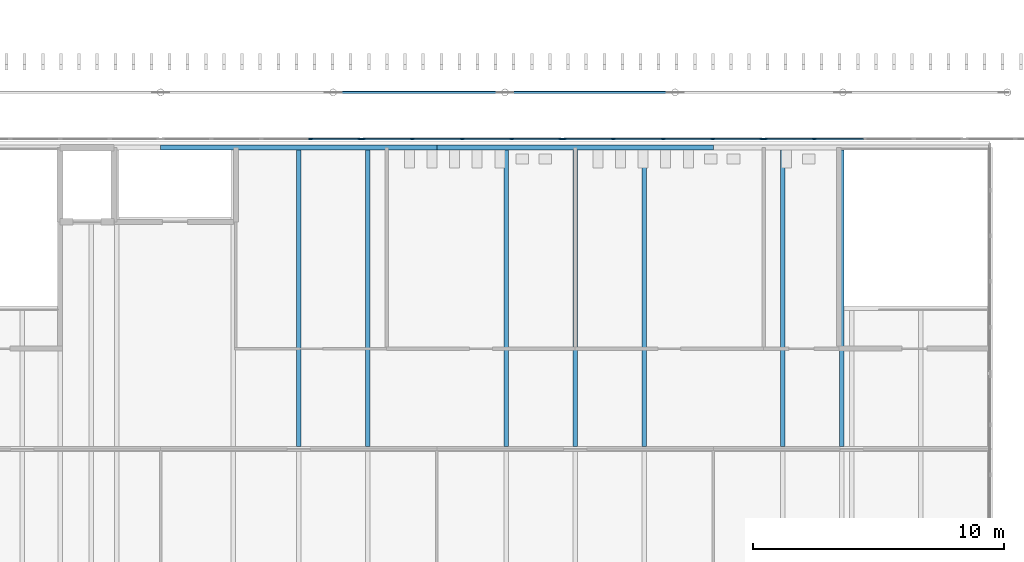
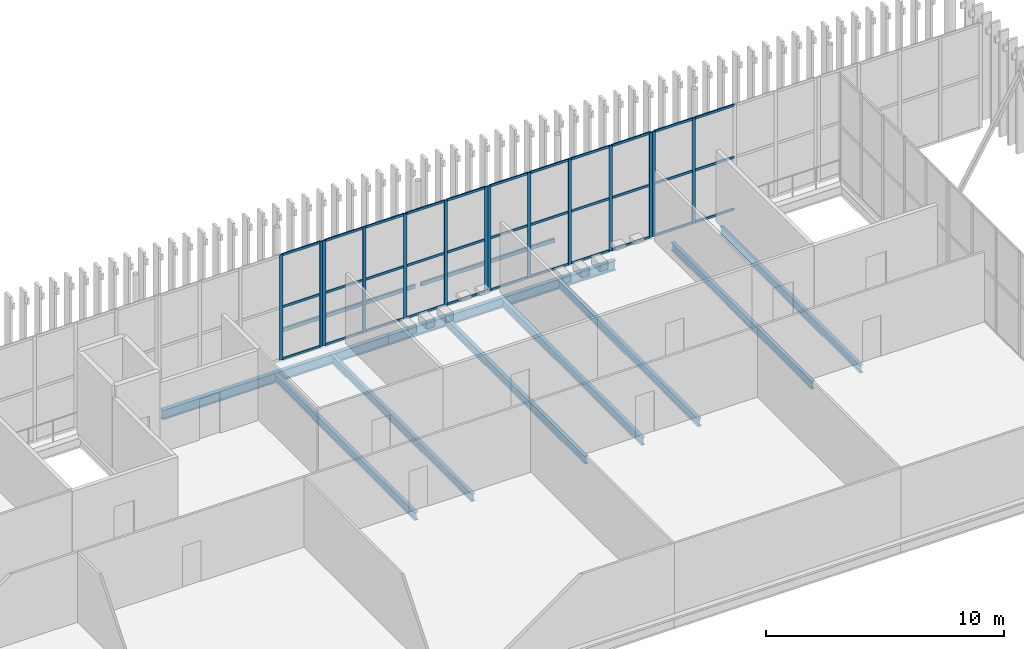
# One storey, part 74 of 170: 49 members, 9 beams, 4 elements without a shape of their own.
"""IFC4 building model written with IfcOpenShell, lengths in metres."""

import ifcopenshell
import ifcopenshell.guid

model = None  # the IFC model being written
_history = None  # IfcOwnerHistory: only IFC2X3 demands one
_inside = {}  # id of a spatial element -> (the spatial element, [elements in it])
_under = {}  # id of a project, library or spatial element -> (it, [spatial elements below it])
_declared = {}  # id of a project -> (the project, [libraries it declares])
_typed = {}  # id of a type object -> (the type object, [elements of that type])
_made_of = {}  # id of a material, layer set ... -> (it, [elements and type objects made of it])


def new_model(schema):
    """Start an empty IFC model of exactly this schema.

    Asked for "IFC4X3", IfcOpenShell would pick the latest addendum, in which some entities
    have other attributes; the version numbers below select the first issue.
    IFC2X3 requires an IfcOwnerHistory on every rooted entity: one is made here for all.
    """
    global model, _history
    if schema == "IFC4X3":
        model = ifcopenshell.file(schema_version=(4, 3, 0, 0))
    else:
        model = ifcopenshell.file(schema=schema)
    _inside.clear()
    _under.clear()
    _declared.clear()
    _typed.clear()
    _made_of.clear()
    _history = None
    if model.schema == "IFC2X3":
        org = make("IfcOrganization", Name="unknown")
        user = make(
            "IfcPersonAndOrganization",
            ThePerson=make("IfcPerson", FamilyName="unknown"),
            TheOrganization=org,
        )
        app = make(
            "IfcApplication",
            ApplicationDeveloper=org,
            Version="unknown",
            ApplicationFullName="unknown",
            ApplicationIdentifier="unknown",
        )
        _history = make(
            "IfcOwnerHistory",
            OwningUser=user,
            OwningApplication=app,
            ChangeAction="ADDED",
            CreationDate=0,
        )
    return model


def make(cls, **values):
    """One entity of the class cls with the attributes given. An attribute that is None is left unset."""
    return model.create_entity(
        cls, **{name: value for name, value in values.items() if value is not None}
    )


def rooted(cls, **values):
    """An entity with a GlobalId (a new one), such as an element, a storey or a relation."""
    return make(cls, GlobalId=ifcopenshell.guid.new(), OwnerHistory=_history, **values)


def si_unit(unit_type, name, prefix=None):
    """IfcSIUnit, for example si_unit("LENGTHUNIT", "METRE", prefix="MILLI")."""
    return make("IfcSIUnit", UnitType=unit_type, Prefix=prefix, Name=name)


def assignment(units):
    """IfcUnitAssignment: the units of a project."""
    return None if units is None else make("IfcUnitAssignment", Units=units)


def point(xyz):
    """IfcCartesianPoint."""
    return None if xyz is None else make("IfcCartesianPoint", Coordinates=xyz)


def direction(xyz):
    """IfcDirection."""
    return None if xyz is None else make("IfcDirection", DirectionRatios=xyz)


def frame(location, z_axis=None, x_axis=None):
    """IfcAxis2Placement3D, a coordinate frame: its origin and axes. An axis left out is left unset."""
    return make(
        "IfcAxis2Placement3D",
        Location=point(location),
        Axis=direction(z_axis),
        RefDirection=direction(x_axis),
    )


def frame_2d(location, x_axis=None):
    """IfcAxis2Placement2D, a coordinate frame in the plane: its origin and x axis."""
    return make(
        "IfcAxis2Placement2D", Location=point(location), RefDirection=direction(x_axis)
    )


def origin():
    """The frame at (0, 0, 0) with its axes left unset."""
    return frame((0.0, 0.0, 0.0))


def origin_2d():
    """The frame at (0, 0) in the plane with its x axis left unset."""
    return frame_2d((0.0, 0.0))


def place(relative_to, where):
    """IfcLocalPlacement: puts the frame where relative to a parent placement (None: the world)."""
    return make(
        "IfcLocalPlacement", PlacementRelTo=relative_to, RelativePlacement=where
    )


def context(
    kind, dimensions, precision=None, world=None, true_north=None, identifier=None
):
    """IfcGeometricRepresentationContext, for example the 3D "Model" context."""
    return make(
        "IfcGeometricRepresentationContext",
        ContextIdentifier=identifier,
        ContextType=kind,
        CoordinateSpaceDimension=dimensions,
        Precision=precision,
        WorldCoordinateSystem=world,
        TrueNorth=true_north,
    )


def subcontext(parent, identifier, kind, view, scale=None):
    """IfcGeometricRepresentationSubContext, for example "Body" below "Model"."""
    return make(
        "IfcGeometricRepresentationSubContext",
        ContextIdentifier=identifier,
        ContextType=kind,
        ParentContext=parent,
        TargetScale=scale,
        TargetView=view,
    )


def project(units=None, contexts=None):
    """IfcProject with its units and contexts."""
    return rooted(
        "IfcProject",
        Name="project",
        RepresentationContexts=contexts,
        UnitsInContext=assignment(units),
    )


def spatial(cls, under=None, at=None, **own):
    """A site, building, storey or space (cls), placed at a placement, below another one or the project."""
    s = rooted(cls, ObjectPlacement=at, **own)
    if under is not None:
        _under.setdefault(under.id(), (under, []))[1].append(s)
    return s


def profile(cls, at=None, kind="AREA", **sizes):
    """A parametric profile (cls). Its sizes go by their IFC names, for example OverallWidth=200.0."""
    return make(cls, ProfileType=kind, Position=at, **sizes)


def rectangle(**sizes):
    """IfcRectangleProfileDef."""
    return profile("IfcRectangleProfileDef", **sizes)


def hollow_rectangle(**sizes):
    """IfcRectangleHollowProfileDef."""
    return profile("IfcRectangleHollowProfileDef", **sizes)


def i_section(**sizes):
    """IfcIShapeProfileDef."""
    return profile("IfcIShapeProfileDef", **sizes)


def extrude(swept, where, along, depth):
    """IfcExtrudedAreaSolid: the profile swept, set in the frame where, extruded along a direction by depth."""
    return make(
        "IfcExtrudedAreaSolid",
        SweptArea=swept,
        Position=where,
        ExtrudedDirection=direction(along),
        Depth=depth,
    )


def shape(context_of_items, identifier, shape_type, items):
    """IfcShapeRepresentation: the items that make up one representation, for example the "Body"."""
    return make(
        "IfcShapeRepresentation",
        ContextOfItems=context_of_items,
        RepresentationIdentifier=identifier,
        RepresentationType=shape_type,
        Items=items,
    )


def material(Name=None, Category=None):
    """IfcMaterial."""
    return make("IfcMaterial", Name=Name, Category=Category)


def layer(
    of_material, thickness, ventilated=None, Name=None, Category=None, Priority=None
):
    """IfcMaterialLayer: one layer of a wall or slab, of a material (None: an air gap)."""
    return make(
        "IfcMaterialLayer",
        Material=of_material,
        LayerThickness=thickness,
        IsVentilated=ventilated,
        Name=Name,
        Category=Category,
        Priority=Priority,
    )


def layer_set(layers, Name=None):
    """IfcMaterialLayerSet."""
    return make("IfcMaterialLayerSet", MaterialLayers=layers, LayerSetName=Name)


def material_profile(
    of_material, cross_section, Name=None, Category=None, Priority=None
):
    """IfcMaterialProfile: a cross section and its material."""
    return make(
        "IfcMaterialProfile",
        Name=Name,
        Material=of_material,
        Profile=cross_section,
        Priority=Priority,
        Category=Category,
    )


def profile_set(profiles, Name=None, composite=None):
    """IfcMaterialProfileSet."""
    return make(
        "IfcMaterialProfileSet",
        Name=Name,
        MaterialProfiles=profiles,
        CompositeProfile=composite,
    )


def made_of(thing, what):
    """Note that an element or type object is made of a material, layer set ...; save() writes the relation."""
    if what is not None:
        _made_of.setdefault(what.id(), (what, []))[1].append(thing)
    return thing


def type_object(cls, material=None, **own):
    """A type object (cls), such as IfcWallType, which elements share."""
    return made_of(rooted(cls, **own), material)


def element(
    cls,
    number,
    at=None,
    inside=None,
    cuts=None,
    type_object=None,
    material=None,
    context=None,
    identifier="Body",
    shape_type=None,
    held_by="IfcProductDefinitionShape",
    body=None,
    shapes=None,
    **own,
):
    """One element of the class cls, such as IfcWall. Its Tag is "e" and its number.

    at: its placement. inside: the storey or other place that contains it. cuts: it is an
    opening in that element (IfcRelVoidsElement). A single representation is given by context,
    identifier, shape_type and body (its items); several are given by shapes. held_by: the class
    of the entity that holds the representations. save() writes the other relations.
    """
    e = rooted(cls, Tag="e%d" % number, ObjectPlacement=at, **own)
    if body is not None:
        shapes = [shape(context, identifier, shape_type, body)]
    if shapes is not None:
        e.Representation = make(held_by, Representations=shapes)
    if inside is not None:
        _inside.setdefault(inside.id(), (inside, []))[1].append(e)
    if cuts is not None:
        rooted(
            "IfcRelVoidsElement", RelatingBuildingElement=cuts, RelatedOpeningElement=e
        )
    if type_object is not None:
        _typed.setdefault(type_object.id(), (type_object, []))[1].append(e)
    return made_of(e, material)


def aggregate(whole, parts):
    """IfcRelAggregates: a whole, such as a stair, and the parts it consists of."""
    return rooted("IfcRelAggregates", RelatingObject=whole, RelatedObjects=parts)


def save(model, path):
    """Write the relations noted so far, then the file.

    IfcRelAggregates (storeys below a building ...), IfcRelContainedInSpatialStructure (elements
    in a storey), IfcRelDefinesByType, IfcRelAssociatesMaterial and IfcRelDeclares: one each for
    every whole, place, type object, material and project.
    """
    for whole, parts in _under.values():
        aggregate(whole, parts)
    for where, things in _inside.values():
        rooted(
            "IfcRelContainedInSpatialStructure",
            RelatedElements=things,
            RelatingStructure=where,
        )
    for kind, things in _typed.values():
        rooted("IfcRelDefinesByType", RelatedObjects=things, RelatingType=kind)
    for what, things in _made_of.values():
        rooted("IfcRelAssociatesMaterial", RelatedObjects=things, RelatingMaterial=what)
    for by, libraries in _declared.values():
        rooted("IfcRelDeclares", RelatingContext=by, RelatedDefinitions=libraries)
    model.write(path)


model = new_model("IFC4")

# Units and contexts
model_context = context("Model", 3, precision=1e-05, world=origin(), true_north=direction((0.0, 1.0)))
body_context = subcontext(model_context, "Body", "Model", "MODEL_VIEW")
ifc_project = project(units=[si_unit("LENGTHUNIT", "METRE"), si_unit("AREAUNIT", "SQUARE_METRE"), si_unit("VOLUMEUNIT", "CUBIC_METRE"), si_unit("PLANEANGLEUNIT", "RADIAN"), si_unit("MASSUNIT", "GRAM", prefix="KILO")], contexts=[model_context])

# Site, building, storey
site_placement = place(None, origin())
site = spatial("IfcSite", under=ifc_project, at=site_placement, CompositionType="ELEMENT")
building_placement = place(site_placement, origin())
building = spatial("IfcBuilding", under=site, at=building_placement, Name="Ravi Spectrum Wholesale Market", CompositionType="ELEMENT")
storey_placement = place(building_placement, frame((0.0, 0.0, 5.39990234375)))
storey = spatial("IfcBuildingStorey", under=building, at=storey_placement, Name="L01", CompositionType="ELEMENT", Elevation=5.39990234375)

# Beams
ifc_material_1 = material(Name="Steel S355", Category="steel")
ifc_material_profile_1 = material_profile(ifc_material_1, i_section(OverallWidth=0.179931640625, OverallDepth=0.39990234375, WebThickness=0.008544921875, FlangeThickness=0.013427734375, at=origin_2d()))
ifc_profile_set_1 = profile_set([ifc_material_profile_1], Name="Steel S355")
beam_type_1 = type_object("IfcBeamType", Name="IPE 400 beam", PredefinedType="BEAM", material=ifc_profile_set_1)
for number, where, z_axis, x_axis, name in (
    (1, (75.5, 183.10009765625, -0.449951171875), (0.0, 1.0, 0.0), (-1.0, 0.0, 0.0), "H1-BM-L01-052"),
    (2, (78.25, 183.10009765625, -0.449951171875), (0.0, 1.0, 0.0), (-1.0, 0.0, 0.0), "H1-BM-L01-054"),
    (3, (83.75, 183.10009765625, -0.449951171875), (0.0, 1.0, 0.0), (-1.0, 0.0, 0.0), "H1-BM-L01-056"),
    (4, (86.5, 183.10009765625, -0.449951171875), (0.0, 1.0, 0.0), (-1.0, 0.0, 0.0), "H1-BM-L01-058"),
    (5, (89.25, 183.10009765625, -0.449951171875), (0.0, 1.0, 0.0), (-1.0, 0.0, 0.0), "H1-BM-L01-060"),
    (6, (94.75, 183.10009765625, -0.449951171875), (0.0, 1.0, 0.0), (-1.0, 0.0, 0.0), "H1-BM-L01-062"),
    (7, (97.10009765625, 183.10009765625, -0.449951171875), (0.0, 1.0, 0.0), (-1.0, 0.0, 0.0), "H1-BM-L01-064"),
):
    element("IfcBeam", number, at=place(storey_placement, frame(where, z_axis=z_axis, x_axis=x_axis)), inside=storey, type_object=beam_type_1, Name=name, PredefinedType="BEAM", context=body_context, shape_type="SweptSolid", body=[
        extrude(i_section(OverallWidth=0.179931640625, OverallDepth=0.39990234375, WebThickness=0.008544921875, FlangeThickness=0.013427734375, at=origin_2d()), origin(), (0.0, 0.0, 1.0), 11.7998046875),
    ])
ifc_material_2 = material(Name="Steel S355", Category="steel")
ifc_material_profile_2 = material_profile(ifc_material_2, i_section(OverallWidth=0.199951171875, OverallDepth=0.5, WebThickness=0.01025390625, FlangeThickness=0.01611328125, at=origin_2d()))
ifc_profile_set_2 = profile_set([ifc_material_profile_2], Name="Steel S355")
beam_type_2 = type_object("IfcBeamType", Name="IPE 500 girder", PredefinedType="BEAM", material=ifc_profile_set_2)
for number, where, z_axis, x_axis, name in (
    (8, (70.0, 195.0, -0.5), (1.0, 0.0, 0.0), (0.0, 1.0, 0.0), "H1-BM-L01-016"),
    (9, (81.0, 195.0, -0.5), (1.0, 0.0, 0.0), (0.0, 1.0, 0.0), "H1-BM-L01-017"),
):
    element("IfcBeam", number, at=place(storey_placement, frame(where, z_axis=z_axis, x_axis=x_axis)), inside=storey, type_object=beam_type_2, Name=name, PredefinedType="BEAM", context=body_context, shape_type="SweptSolid", body=[
        extrude(i_section(OverallWidth=0.199951171875, OverallDepth=0.5, WebThickness=0.01025390625, FlangeThickness=0.01611328125, at=origin_2d()), origin(), (0.0, 0.0, 1.0), 11.0),
    ])

# Curtain wall, members
ifc_material_3 = material(Name="Aluminium 6063-T6", Category="aluminium")
ifc_layer = layer(ifc_material_3, 0.14990234375)
ifc_layer_set = layer_set([ifc_layer], Name="Aluminium 6063-T6")
curtain_wall_type = type_object("IfcCurtainWallType", Name="Curtain wall 150", PredefinedType="NOTDEFINED", material=ifc_layer_set)
curtain_wall_1_placement = place(storey_placement, origin())
curtain_wall_1 = element("IfcCurtainWall", 10, at=curtain_wall_1_placement, inside=storey, type_object=curtain_wall_type, Name="H1-CW-L01-058", PredefinedType="NOTDEFINED")
ifc_material_4 = material(Name="Aluminium 6063-T6", Category="aluminium")
ifc_material_profile_3 = material_profile(ifc_material_4, rectangle(XDim=0.06005859375, YDim=0.159912109375, at=origin_2d()))
ifc_profile_set_3 = profile_set([ifc_material_profile_3], Name="Aluminium 6063-T6")
member_type_1 = type_object("IfcMemberType", Name="Mullion 60 x 160", PredefinedType="MULLION", material=ifc_profile_set_3)
member_1_placement = place(storey_placement, frame((75.97998046875, 195.340087890625, 0.0), z_axis=(0.0, 0.0, 1.0), x_axis=(0.0, 1.0, 0.0)))
member_1 = element("IfcMember", 11, at=member_1_placement, type_object=member_type_1, Name="H1-CW-L01-058 mullion 4", PredefinedType="MULLION", context=body_context, shape_type="SweptSolid", body=[
    extrude(rectangle(XDim=0.06005859375, YDim=0.159912109375, at=origin_2d()), origin(), (0.0, 0.0, 1.0), 5.400146484375),
])
member_2_placement = place(storey_placement, frame((77.929931640625, 195.340087890625, 0.0), z_axis=(0.0, 0.0, 1.0), x_axis=(0.0, 1.0, 0.0)))
member_2 = element("IfcMember", 12, at=member_2_placement, type_object=member_type_1, Name="H1-CW-L01-058 mullion 5", PredefinedType="MULLION", context=body_context, shape_type="SweptSolid", body=[
    extrude(rectangle(XDim=0.06005859375, YDim=0.159912109375, at=origin_2d()), origin(), (0.0, 0.0, 1.0), 5.400146484375),
])

curtain_wall_2_placement = place(storey_placement, origin())
curtain_wall_2 = element("IfcCurtainWall", 13, at=curtain_wall_2_placement, inside=storey, type_object=curtain_wall_type, Name="H1-CW-L01-059", PredefinedType="NOTDEFINED")
member_3_placement = place(storey_placement, frame((78.070068359375, 195.340087890625, 0.0), z_axis=(0.0, 0.0, 1.0), x_axis=(0.0, 1.0, 0.0)))
member_3 = element("IfcMember", 14, at=member_3_placement, type_object=member_type_1, Name="H1-CW-L01-059 mullion 1", PredefinedType="MULLION", context=body_context, shape_type="SweptSolid", body=[
    extrude(rectangle(XDim=0.06005859375, YDim=0.159912109375, at=origin_2d()), origin(), (0.0, 0.0, 1.0), 5.400146484375),
])
member_4_placement = place(storey_placement, frame((80.02001953125, 195.340087890625, 0.0), z_axis=(0.0, 0.0, 1.0), x_axis=(0.0, 1.0, 0.0)))
member_4 = element("IfcMember", 15, at=member_4_placement, type_object=member_type_1, Name="H1-CW-L01-059 mullion 2", PredefinedType="MULLION", context=body_context, shape_type="SweptSolid", body=[
    extrude(rectangle(XDim=0.06005859375, YDim=0.159912109375, at=origin_2d()), origin(), (0.0, 0.0, 1.0), 5.400146484375),
])
member_5_placement = place(storey_placement, frame((82.0, 195.340087890625, 0.0), z_axis=(0.0, 0.0, 1.0), x_axis=(0.0, 1.0, 0.0)))
member_5 = element("IfcMember", 16, at=member_5_placement, type_object=member_type_1, Name="H1-CW-L01-059 mullion 3", PredefinedType="MULLION", context=body_context, shape_type="SweptSolid", body=[
    extrude(rectangle(XDim=0.06005859375, YDim=0.159912109375, at=origin_2d()), origin(), (0.0, 0.0, 1.0), 5.400146484375),
])
member_6_placement = place(storey_placement, frame((83.97998046875, 195.340087890625, 0.0), z_axis=(0.0, 0.0, 1.0), x_axis=(0.0, 1.0, 0.0)))
member_6 = element("IfcMember", 17, at=member_6_placement, type_object=member_type_1, Name="H1-CW-L01-059 mullion 4", PredefinedType="MULLION", context=body_context, shape_type="SweptSolid", body=[
    extrude(rectangle(XDim=0.06005859375, YDim=0.159912109375, at=origin_2d()), origin(), (0.0, 0.0, 1.0), 5.400146484375),
])
member_7_placement = place(storey_placement, frame((85.929931640625, 195.340087890625, 0.0), z_axis=(0.0, 0.0, 1.0), x_axis=(0.0, 1.0, 0.0)))
member_7 = element("IfcMember", 18, at=member_7_placement, type_object=member_type_1, Name="H1-CW-L01-059 mullion 5", PredefinedType="MULLION", context=body_context, shape_type="SweptSolid", body=[
    extrude(rectangle(XDim=0.06005859375, YDim=0.159912109375, at=origin_2d()), origin(), (0.0, 0.0, 1.0), 5.400146484375),
])

curtain_wall_3_placement = place(storey_placement, origin())
curtain_wall_3 = element("IfcCurtainWall", 19, at=curtain_wall_3_placement, inside=storey, type_object=curtain_wall_type, Name="H1-CW-L01-060", PredefinedType="NOTDEFINED")
member_8_placement = place(storey_placement, frame((86.070068359375, 195.340087890625, 0.0), z_axis=(0.0, 0.0, 1.0), x_axis=(0.0, 1.0, 0.0)))
member_8 = element("IfcMember", 20, at=member_8_placement, type_object=member_type_1, Name="H1-CW-L01-060 mullion 1", PredefinedType="MULLION", context=body_context, shape_type="SweptSolid", body=[
    extrude(rectangle(XDim=0.06005859375, YDim=0.159912109375, at=origin_2d()), origin(), (0.0, 0.0, 1.0), 5.400146484375),
])
member_9_placement = place(storey_placement, frame((88.02001953125, 195.340087890625, 0.0), z_axis=(0.0, 0.0, 1.0), x_axis=(0.0, 1.0, 0.0)))
member_9 = element("IfcMember", 21, at=member_9_placement, type_object=member_type_1, Name="H1-CW-L01-060 mullion 2", PredefinedType="MULLION", context=body_context, shape_type="SweptSolid", body=[
    extrude(rectangle(XDim=0.06005859375, YDim=0.159912109375, at=origin_2d()), origin(), (0.0, 0.0, 1.0), 5.400146484375),
])
member_10_placement = place(storey_placement, frame((90.0, 195.340087890625, 0.0), z_axis=(0.0, 0.0, 1.0), x_axis=(0.0, 1.0, 0.0)))
member_10 = element("IfcMember", 22, at=member_10_placement, type_object=member_type_1, Name="H1-CW-L01-060 mullion 3", PredefinedType="MULLION", context=body_context, shape_type="SweptSolid", body=[
    extrude(rectangle(XDim=0.06005859375, YDim=0.159912109375, at=origin_2d()), origin(), (0.0, 0.0, 1.0), 5.400146484375),
])
member_11_placement = place(storey_placement, frame((91.97998046875, 195.340087890625, 0.0), z_axis=(0.0, 0.0, 1.0), x_axis=(0.0, 1.0, 0.0)))
member_11 = element("IfcMember", 23, at=member_11_placement, type_object=member_type_1, Name="H1-CW-L01-060 mullion 4", PredefinedType="MULLION", context=body_context, shape_type="SweptSolid", body=[
    extrude(rectangle(XDim=0.06005859375, YDim=0.159912109375, at=origin_2d()), origin(), (0.0, 0.0, 1.0), 5.400146484375),
])
member_12_placement = place(storey_placement, frame((93.929931640625, 195.340087890625, 0.0), z_axis=(0.0, 0.0, 1.0), x_axis=(0.0, 1.0, 0.0)))
member_12 = element("IfcMember", 24, at=member_12_placement, type_object=member_type_1, Name="H1-CW-L01-060 mullion 5", PredefinedType="MULLION", context=body_context, shape_type="SweptSolid", body=[
    extrude(rectangle(XDim=0.06005859375, YDim=0.159912109375, at=origin_2d()), origin(), (0.0, 0.0, 1.0), 5.400146484375),
])

curtain_wall_4_placement = place(storey_placement, origin())
curtain_wall_4 = element("IfcCurtainWall", 25, at=curtain_wall_4_placement, inside=storey, type_object=curtain_wall_type, Name="H1-CW-L01-061", PredefinedType="NOTDEFINED")
member_13_placement = place(storey_placement, frame((94.070068359375, 195.340087890625, 0.0), z_axis=(0.0, 0.0, 1.0), x_axis=(0.0, 1.0, 0.0)))
member_13 = element("IfcMember", 26, at=member_13_placement, type_object=member_type_1, Name="H1-CW-L01-061 mullion 1", PredefinedType="MULLION", context=body_context, shape_type="SweptSolid", body=[
    extrude(rectangle(XDim=0.06005859375, YDim=0.159912109375, at=origin_2d()), origin(), (0.0, 0.0, 1.0), 5.400146484375),
])
member_14_placement = place(storey_placement, frame((96.02001953125, 195.340087890625, 0.0), z_axis=(0.0, 0.0, 1.0), x_axis=(0.0, 1.0, 0.0)))
member_14 = element("IfcMember", 27, at=member_14_placement, type_object=member_type_1, Name="H1-CW-L01-061 mullion 2", PredefinedType="MULLION", context=body_context, shape_type="SweptSolid", body=[
    extrude(rectangle(XDim=0.06005859375, YDim=0.159912109375, at=origin_2d()), origin(), (0.0, 0.0, 1.0), 5.400146484375),
])

# Members
ifc_material_5 = material(Name="Steel S355", Category="steel")
ifc_material_profile_4 = material_profile(ifc_material_5, hollow_rectangle(XDim=0.10009765625, YDim=0.199951171875, WallThickness=0.00634765625, InnerFilletRadius=0.00634765625, OuterFilletRadius=0.0126953125, at=origin_2d()))
ifc_profile_set_4 = profile_set([ifc_material_profile_4], Name="Steel S355")
member_type_2 = type_object("IfcMemberType", Name="RHS 200x100x6.3 strut", PredefinedType="STRUT", material=ifc_profile_set_4)
member_15_placement = place(storey_placement, frame((77.006103515625, 197.199951171875, 0.0), z_axis=(1.0, 0.0, 0.0), x_axis=(0.0, 1.0, 0.0)))
element("IfcMember", 28, at=member_15_placement, inside=storey, type_object=member_type_2, Name="H1-MB-L01-031", PredefinedType="STRUT", context=body_context, shape_type="SweptSolid", body=[
    extrude(hollow_rectangle(XDim=0.10009765625, YDim=0.199951171875, WallThickness=0.00634765625, InnerFilletRadius=0.00634765625, OuterFilletRadius=0.0126953125, at=origin_2d()), origin(), (0.0, 0.0, 1.0), 6.563720703125),
])
member_16_placement = place(storey_placement, frame((83.8427734375, 197.199951171875, 0.0), z_axis=(1.0, 0.0, 0.0), x_axis=(0.0, 1.0, 0.0)))
element("IfcMember", 29, at=member_16_placement, inside=storey, type_object=member_type_2, Name="H1-MB-L01-032", PredefinedType="STRUT", context=body_context, shape_type="SweptSolid", body=[
    extrude(hollow_rectangle(XDim=0.10009765625, YDim=0.199951171875, WallThickness=0.00634765625, InnerFilletRadius=0.00634765625, OuterFilletRadius=0.0126953125, at=origin_2d()), origin(), (0.0, 0.0, 1.0), 6.498779296875),
])

# Member
ifc_material_6 = material(Name="Aluminium 6063-T6", Category="aluminium")
ifc_material_profile_5 = material_profile(ifc_material_6, rectangle(XDim=0.06005859375, YDim=0.1201171875, at=origin_2d()))
ifc_profile_set_5 = profile_set([ifc_material_profile_5], Name="Aluminium 6063-T6")
member_type_3 = type_object("IfcMemberType", Name="Transom 60 x 120", PredefinedType="USERDEFINED", material=ifc_profile_set_5)
member_17_placement = place(storey_placement, frame((76.010009765625, 195.340087890625, 0.030029296875), z_axis=(1.0, 0.0, 0.0), x_axis=(0.0, 1.0, 0.0)))
member_17 = element("IfcMember", 30, at=member_17_placement, type_object=member_type_3, Name="H1-CW-L01-058 transom 4.1", ObjectType="TRANSOM", PredefinedType="USERDEFINED", context=body_context, shape_type="SweptSolid", body=[
    extrude(rectangle(XDim=0.06005859375, YDim=0.1201171875, at=origin_2d()), origin(), (0.0, 0.0, 1.0), 1.889892578125),
])

member_18_placement = place(storey_placement, frame((76.010009765625, 195.340087890625, 2.7001953125), z_axis=(1.0, 0.0, 0.0), x_axis=(0.0, 1.0, 0.0)))
member_18 = element("IfcMember", 31, at=member_18_placement, type_object=member_type_3, Name="H1-CW-L01-058 transom 4.2", ObjectType="TRANSOM", PredefinedType="USERDEFINED", context=body_context, shape_type="SweptSolid", body=[
    extrude(rectangle(XDim=0.06005859375, YDim=0.1201171875, at=origin_2d()), origin(), (0.0, 0.0, 1.0), 1.889892578125),
])

member_19_placement = place(storey_placement, frame((76.010009765625, 195.340087890625, 5.3701171875), z_axis=(1.0, 0.0, 0.0), x_axis=(0.0, 1.0, 0.0)))
member_19 = element("IfcMember", 32, at=member_19_placement, type_object=member_type_3, Name="H1-CW-L01-058 transom 4.3", ObjectType="TRANSOM", PredefinedType="USERDEFINED", context=body_context, shape_type="SweptSolid", body=[
    extrude(rectangle(XDim=0.06005859375, YDim=0.1201171875, at=origin_2d()), origin(), (0.0, 0.0, 1.0), 1.889892578125),
])

aggregate(curtain_wall_1, [member_1, member_2, member_17, member_18, member_19])

member_20_placement = place(storey_placement, frame((78.10009765625, 195.340087890625, 0.030029296875), z_axis=(1.0, 0.0, 0.0), x_axis=(0.0, 1.0, 0.0)))
member_20 = element("IfcMember", 33, at=member_20_placement, type_object=member_type_3, Name="H1-CW-L01-059 transom 1.1", ObjectType="TRANSOM", PredefinedType="USERDEFINED", context=body_context, shape_type="SweptSolid", body=[
    extrude(rectangle(XDim=0.06005859375, YDim=0.1201171875, at=origin_2d()), origin(), (0.0, 0.0, 1.0), 1.889892578125),
])

member_21_placement = place(storey_placement, frame((78.10009765625, 195.340087890625, 2.7001953125), z_axis=(1.0, 0.0, 0.0), x_axis=(0.0, 1.0, 0.0)))
member_21 = element("IfcMember", 34, at=member_21_placement, type_object=member_type_3, Name="H1-CW-L01-059 transom 1.2", ObjectType="TRANSOM", PredefinedType="USERDEFINED", context=body_context, shape_type="SweptSolid", body=[
    extrude(rectangle(XDim=0.06005859375, YDim=0.1201171875, at=origin_2d()), origin(), (0.0, 0.0, 1.0), 1.889892578125),
])

member_22_placement = place(storey_placement, frame((78.10009765625, 195.340087890625, 5.3701171875), z_axis=(1.0, 0.0, 0.0), x_axis=(0.0, 1.0, 0.0)))
member_22 = element("IfcMember", 35, at=member_22_placement, type_object=member_type_3, Name="H1-CW-L01-059 transom 1.3", ObjectType="TRANSOM", PredefinedType="USERDEFINED", context=body_context, shape_type="SweptSolid", body=[
    extrude(rectangle(XDim=0.06005859375, YDim=0.1201171875, at=origin_2d()), origin(), (0.0, 0.0, 1.0), 1.889892578125),
])

member_23_placement = place(storey_placement, frame((80.050048828125, 195.340087890625, 0.030029296875), z_axis=(1.0, 0.0, 0.0), x_axis=(0.0, 1.0, 0.0)))
member_23 = element("IfcMember", 36, at=member_23_placement, type_object=member_type_3, Name="H1-CW-L01-059 transom 2.1", ObjectType="TRANSOM", PredefinedType="USERDEFINED", context=body_context, shape_type="SweptSolid", body=[
    extrude(rectangle(XDim=0.06005859375, YDim=0.1201171875, at=origin_2d()), origin(), (0.0, 0.0, 1.0), 1.919921875),
])

member_24_placement = place(storey_placement, frame((80.050048828125, 195.340087890625, 2.7001953125), z_axis=(1.0, 0.0, 0.0), x_axis=(0.0, 1.0, 0.0)))
member_24 = element("IfcMember", 37, at=member_24_placement, type_object=member_type_3, Name="H1-CW-L01-059 transom 2.2", ObjectType="TRANSOM", PredefinedType="USERDEFINED", context=body_context, shape_type="SweptSolid", body=[
    extrude(rectangle(XDim=0.06005859375, YDim=0.1201171875, at=origin_2d()), origin(), (0.0, 0.0, 1.0), 1.919921875),
])

member_25_placement = place(storey_placement, frame((80.050048828125, 195.340087890625, 5.3701171875), z_axis=(1.0, 0.0, 0.0), x_axis=(0.0, 1.0, 0.0)))
member_25 = element("IfcMember", 38, at=member_25_placement, type_object=member_type_3, Name="H1-CW-L01-059 transom 2.3", ObjectType="TRANSOM", PredefinedType="USERDEFINED", context=body_context, shape_type="SweptSolid", body=[
    extrude(rectangle(XDim=0.06005859375, YDim=0.1201171875, at=origin_2d()), origin(), (0.0, 0.0, 1.0), 1.919921875),
])

member_26_placement = place(storey_placement, frame((82.030029296875, 195.340087890625, 0.030029296875), z_axis=(1.0, 0.0, 0.0), x_axis=(0.0, 1.0, 0.0)))
member_26 = element("IfcMember", 39, at=member_26_placement, type_object=member_type_3, Name="H1-CW-L01-059 transom 3.1", ObjectType="TRANSOM", PredefinedType="USERDEFINED", context=body_context, shape_type="SweptSolid", body=[
    extrude(rectangle(XDim=0.06005859375, YDim=0.1201171875, at=origin_2d()), origin(), (0.0, 0.0, 1.0), 1.919921875),
])

member_27_placement = place(storey_placement, frame((82.030029296875, 195.340087890625, 2.7001953125), z_axis=(1.0, 0.0, 0.0), x_axis=(0.0, 1.0, 0.0)))
member_27 = element("IfcMember", 40, at=member_27_placement, type_object=member_type_3, Name="H1-CW-L01-059 transom 3.2", ObjectType="TRANSOM", PredefinedType="USERDEFINED", context=body_context, shape_type="SweptSolid", body=[
    extrude(rectangle(XDim=0.06005859375, YDim=0.1201171875, at=origin_2d()), origin(), (0.0, 0.0, 1.0), 1.919921875),
])

member_28_placement = place(storey_placement, frame((82.030029296875, 195.340087890625, 5.3701171875), z_axis=(1.0, 0.0, 0.0), x_axis=(0.0, 1.0, 0.0)))
member_28 = element("IfcMember", 41, at=member_28_placement, type_object=member_type_3, Name="H1-CW-L01-059 transom 3.3", ObjectType="TRANSOM", PredefinedType="USERDEFINED", context=body_context, shape_type="SweptSolid", body=[
    extrude(rectangle(XDim=0.06005859375, YDim=0.1201171875, at=origin_2d()), origin(), (0.0, 0.0, 1.0), 1.919921875),
])

member_29_placement = place(storey_placement, frame((84.010009765625, 195.340087890625, 0.030029296875), z_axis=(1.0, 0.0, 0.0), x_axis=(0.0, 1.0, 0.0)))
member_29 = element("IfcMember", 42, at=member_29_placement, type_object=member_type_3, Name="H1-CW-L01-059 transom 4.1", ObjectType="TRANSOM", PredefinedType="USERDEFINED", context=body_context, shape_type="SweptSolid", body=[
    extrude(rectangle(XDim=0.06005859375, YDim=0.1201171875, at=origin_2d()), origin(), (0.0, 0.0, 1.0), 1.889892578125),
])

member_30_placement = place(storey_placement, frame((84.010009765625, 195.340087890625, 2.7001953125), z_axis=(1.0, 0.0, 0.0), x_axis=(0.0, 1.0, 0.0)))
member_30 = element("IfcMember", 43, at=member_30_placement, type_object=member_type_3, Name="H1-CW-L01-059 transom 4.2", ObjectType="TRANSOM", PredefinedType="USERDEFINED", context=body_context, shape_type="SweptSolid", body=[
    extrude(rectangle(XDim=0.06005859375, YDim=0.1201171875, at=origin_2d()), origin(), (0.0, 0.0, 1.0), 1.889892578125),
])

member_31_placement = place(storey_placement, frame((84.010009765625, 195.340087890625, 5.3701171875), z_axis=(1.0, 0.0, 0.0), x_axis=(0.0, 1.0, 0.0)))
member_31 = element("IfcMember", 44, at=member_31_placement, type_object=member_type_3, Name="H1-CW-L01-059 transom 4.3", ObjectType="TRANSOM", PredefinedType="USERDEFINED", context=body_context, shape_type="SweptSolid", body=[
    extrude(rectangle(XDim=0.06005859375, YDim=0.1201171875, at=origin_2d()), origin(), (0.0, 0.0, 1.0), 1.889892578125),
])

aggregate(curtain_wall_2, [member_3, member_4, member_5, member_6, member_7, member_20, member_21, member_22, member_23, member_24, member_25, member_26, member_27, member_28, member_29, member_30, member_31])

member_32_placement = place(storey_placement, frame((86.10009765625, 195.340087890625, 0.030029296875), z_axis=(1.0, 0.0, 0.0), x_axis=(0.0, 1.0, 0.0)))
member_32 = element("IfcMember", 45, at=member_32_placement, type_object=member_type_3, Name="H1-CW-L01-060 transom 1.1", ObjectType="TRANSOM", PredefinedType="USERDEFINED", context=body_context, shape_type="SweptSolid", body=[
    extrude(rectangle(XDim=0.06005859375, YDim=0.1201171875, at=origin_2d()), origin(), (0.0, 0.0, 1.0), 1.889892578125),
])

member_33_placement = place(storey_placement, frame((86.10009765625, 195.340087890625, 2.7001953125), z_axis=(1.0, 0.0, 0.0), x_axis=(0.0, 1.0, 0.0)))
member_33 = element("IfcMember", 46, at=member_33_placement, type_object=member_type_3, Name="H1-CW-L01-060 transom 1.2", ObjectType="TRANSOM", PredefinedType="USERDEFINED", context=body_context, shape_type="SweptSolid", body=[
    extrude(rectangle(XDim=0.06005859375, YDim=0.1201171875, at=origin_2d()), origin(), (0.0, 0.0, 1.0), 1.889892578125),
])

member_34_placement = place(storey_placement, frame((86.10009765625, 195.340087890625, 5.3701171875), z_axis=(1.0, 0.0, 0.0), x_axis=(0.0, 1.0, 0.0)))
member_34 = element("IfcMember", 47, at=member_34_placement, type_object=member_type_3, Name="H1-CW-L01-060 transom 1.3", ObjectType="TRANSOM", PredefinedType="USERDEFINED", context=body_context, shape_type="SweptSolid", body=[
    extrude(rectangle(XDim=0.06005859375, YDim=0.1201171875, at=origin_2d()), origin(), (0.0, 0.0, 1.0), 1.889892578125),
])

member_35_placement = place(storey_placement, frame((88.050048828125, 195.340087890625, 0.030029296875), z_axis=(1.0, 0.0, 0.0), x_axis=(0.0, 1.0, 0.0)))
member_35 = element("IfcMember", 48, at=member_35_placement, type_object=member_type_3, Name="H1-CW-L01-060 transom 2.1", ObjectType="TRANSOM", PredefinedType="USERDEFINED", context=body_context, shape_type="SweptSolid", body=[
    extrude(rectangle(XDim=0.06005859375, YDim=0.1201171875, at=origin_2d()), origin(), (0.0, 0.0, 1.0), 1.919921875),
])

member_36_placement = place(storey_placement, frame((88.050048828125, 195.340087890625, 2.7001953125), z_axis=(1.0, 0.0, 0.0), x_axis=(0.0, 1.0, 0.0)))
member_36 = element("IfcMember", 49, at=member_36_placement, type_object=member_type_3, Name="H1-CW-L01-060 transom 2.2", ObjectType="TRANSOM", PredefinedType="USERDEFINED", context=body_context, shape_type="SweptSolid", body=[
    extrude(rectangle(XDim=0.06005859375, YDim=0.1201171875, at=origin_2d()), origin(), (0.0, 0.0, 1.0), 1.919921875),
])

member_37_placement = place(storey_placement, frame((88.050048828125, 195.340087890625, 5.3701171875), z_axis=(1.0, 0.0, 0.0), x_axis=(0.0, 1.0, 0.0)))
member_37 = element("IfcMember", 50, at=member_37_placement, type_object=member_type_3, Name="H1-CW-L01-060 transom 2.3", ObjectType="TRANSOM", PredefinedType="USERDEFINED", context=body_context, shape_type="SweptSolid", body=[
    extrude(rectangle(XDim=0.06005859375, YDim=0.1201171875, at=origin_2d()), origin(), (0.0, 0.0, 1.0), 1.919921875),
])

member_38_placement = place(storey_placement, frame((90.030029296875, 195.340087890625, 0.030029296875), z_axis=(1.0, 0.0, 0.0), x_axis=(0.0, 1.0, 0.0)))
member_38 = element("IfcMember", 51, at=member_38_placement, type_object=member_type_3, Name="H1-CW-L01-060 transom 3.1", ObjectType="TRANSOM", PredefinedType="USERDEFINED", context=body_context, shape_type="SweptSolid", body=[
    extrude(rectangle(XDim=0.06005859375, YDim=0.1201171875, at=origin_2d()), origin(), (0.0, 0.0, 1.0), 1.919921875),
])

member_39_placement = place(storey_placement, frame((90.030029296875, 195.340087890625, 2.7001953125), z_axis=(1.0, 0.0, 0.0), x_axis=(0.0, 1.0, 0.0)))
member_39 = element("IfcMember", 52, at=member_39_placement, type_object=member_type_3, Name="H1-CW-L01-060 transom 3.2", ObjectType="TRANSOM", PredefinedType="USERDEFINED", context=body_context, shape_type="SweptSolid", body=[
    extrude(rectangle(XDim=0.06005859375, YDim=0.1201171875, at=origin_2d()), origin(), (0.0, 0.0, 1.0), 1.919921875),
])

member_40_placement = place(storey_placement, frame((90.030029296875, 195.340087890625, 5.3701171875), z_axis=(1.0, 0.0, 0.0), x_axis=(0.0, 1.0, 0.0)))
member_40 = element("IfcMember", 53, at=member_40_placement, type_object=member_type_3, Name="H1-CW-L01-060 transom 3.3", ObjectType="TRANSOM", PredefinedType="USERDEFINED", context=body_context, shape_type="SweptSolid", body=[
    extrude(rectangle(XDim=0.06005859375, YDim=0.1201171875, at=origin_2d()), origin(), (0.0, 0.0, 1.0), 1.919921875),
])

member_41_placement = place(storey_placement, frame((92.010009765625, 195.340087890625, 0.030029296875), z_axis=(1.0, 0.0, 0.0), x_axis=(0.0, 1.0, 0.0)))
member_41 = element("IfcMember", 54, at=member_41_placement, type_object=member_type_3, Name="H1-CW-L01-060 transom 4.1", ObjectType="TRANSOM", PredefinedType="USERDEFINED", context=body_context, shape_type="SweptSolid", body=[
    extrude(rectangle(XDim=0.06005859375, YDim=0.1201171875, at=origin_2d()), origin(), (0.0, 0.0, 1.0), 1.889892578125),
])

member_42_placement = place(storey_placement, frame((92.010009765625, 195.340087890625, 2.7001953125), z_axis=(1.0, 0.0, 0.0), x_axis=(0.0, 1.0, 0.0)))
member_42 = element("IfcMember", 55, at=member_42_placement, type_object=member_type_3, Name="H1-CW-L01-060 transom 4.2", ObjectType="TRANSOM", PredefinedType="USERDEFINED", context=body_context, shape_type="SweptSolid", body=[
    extrude(rectangle(XDim=0.06005859375, YDim=0.1201171875, at=origin_2d()), origin(), (0.0, 0.0, 1.0), 1.889892578125),
])

member_43_placement = place(storey_placement, frame((92.010009765625, 195.340087890625, 5.3701171875), z_axis=(1.0, 0.0, 0.0), x_axis=(0.0, 1.0, 0.0)))
member_43 = element("IfcMember", 56, at=member_43_placement, type_object=member_type_3, Name="H1-CW-L01-060 transom 4.3", ObjectType="TRANSOM", PredefinedType="USERDEFINED", context=body_context, shape_type="SweptSolid", body=[
    extrude(rectangle(XDim=0.06005859375, YDim=0.1201171875, at=origin_2d()), origin(), (0.0, 0.0, 1.0), 1.889892578125),
])

aggregate(curtain_wall_3, [member_8, member_9, member_10, member_11, member_12, member_32, member_33, member_34, member_35, member_36, member_37, member_38, member_39, member_40, member_41, member_42, member_43])

member_44_placement = place(storey_placement, frame((94.10009765625, 195.340087890625, 0.030029296875), z_axis=(1.0, 0.0, 0.0), x_axis=(0.0, 1.0, 0.0)))
member_44 = element("IfcMember", 57, at=member_44_placement, type_object=member_type_3, Name="H1-CW-L01-061 transom 1.1", ObjectType="TRANSOM", PredefinedType="USERDEFINED", context=body_context, shape_type="SweptSolid", body=[
    extrude(rectangle(XDim=0.06005859375, YDim=0.1201171875, at=origin_2d()), origin(), (0.0, 0.0, 1.0), 1.889892578125),
])

member_45_placement = place(storey_placement, frame((94.10009765625, 195.340087890625, 2.7001953125), z_axis=(1.0, 0.0, 0.0), x_axis=(0.0, 1.0, 0.0)))
member_45 = element("IfcMember", 58, at=member_45_placement, type_object=member_type_3, Name="H1-CW-L01-061 transom 1.2", ObjectType="TRANSOM", PredefinedType="USERDEFINED", context=body_context, shape_type="SweptSolid", body=[
    extrude(rectangle(XDim=0.06005859375, YDim=0.1201171875, at=origin_2d()), origin(), (0.0, 0.0, 1.0), 1.889892578125),
])

member_46_placement = place(storey_placement, frame((94.10009765625, 195.340087890625, 5.3701171875), z_axis=(1.0, 0.0, 0.0), x_axis=(0.0, 1.0, 0.0)))
member_46 = element("IfcMember", 59, at=member_46_placement, type_object=member_type_3, Name="H1-CW-L01-061 transom 1.3", ObjectType="TRANSOM", PredefinedType="USERDEFINED", context=body_context, shape_type="SweptSolid", body=[
    extrude(rectangle(XDim=0.06005859375, YDim=0.1201171875, at=origin_2d()), origin(), (0.0, 0.0, 1.0), 1.889892578125),
])

member_47_placement = place(storey_placement, frame((96.050048828125, 195.340087890625, 0.030029296875), z_axis=(1.0, 0.0, 0.0), x_axis=(0.0, 1.0, 0.0)))
member_47 = element("IfcMember", 60, at=member_47_placement, type_object=member_type_3, Name="H1-CW-L01-061 transom 2.1", ObjectType="TRANSOM", PredefinedType="USERDEFINED", context=body_context, shape_type="SweptSolid", body=[
    extrude(rectangle(XDim=0.06005859375, YDim=0.1201171875, at=origin_2d()), origin(), (0.0, 0.0, 1.0), 1.919921875),
])

member_48_placement = place(storey_placement, frame((96.050048828125, 195.340087890625, 2.7001953125), z_axis=(1.0, 0.0, 0.0), x_axis=(0.0, 1.0, 0.0)))
member_48 = element("IfcMember", 61, at=member_48_placement, type_object=member_type_3, Name="H1-CW-L01-061 transom 2.2", ObjectType="TRANSOM", PredefinedType="USERDEFINED", context=body_context, shape_type="SweptSolid", body=[
    extrude(rectangle(XDim=0.06005859375, YDim=0.1201171875, at=origin_2d()), origin(), (0.0, 0.0, 1.0), 1.919921875),
])

member_49_placement = place(storey_placement, frame((96.050048828125, 195.340087890625, 5.3701171875), z_axis=(1.0, 0.0, 0.0), x_axis=(0.0, 1.0, 0.0)))
member_49 = element("IfcMember", 62, at=member_49_placement, type_object=member_type_3, Name="H1-CW-L01-061 transom 2.3", ObjectType="TRANSOM", PredefinedType="USERDEFINED", context=body_context, shape_type="SweptSolid", body=[
    extrude(rectangle(XDim=0.06005859375, YDim=0.1201171875, at=origin_2d()), origin(), (0.0, 0.0, 1.0), 1.919921875),
])

aggregate(curtain_wall_4, [member_13, member_14, member_44, member_45, member_46, member_47, member_48, member_49])

save(model, "model.ifc")
